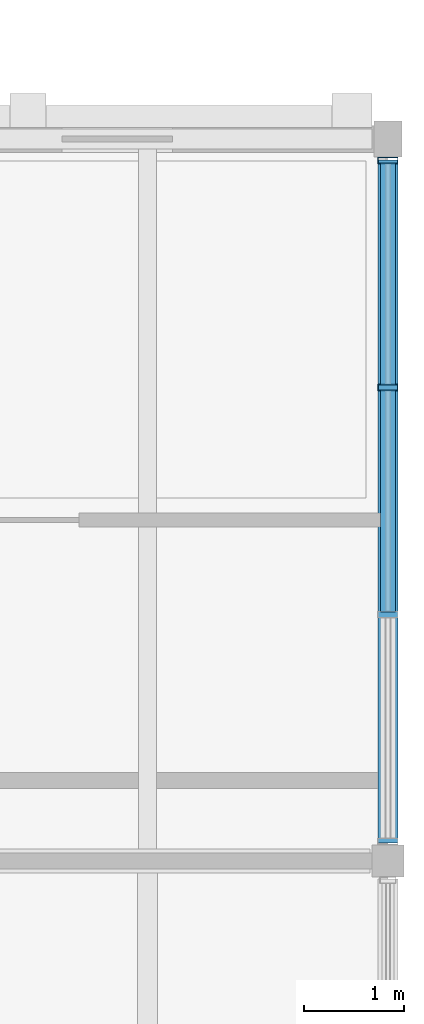
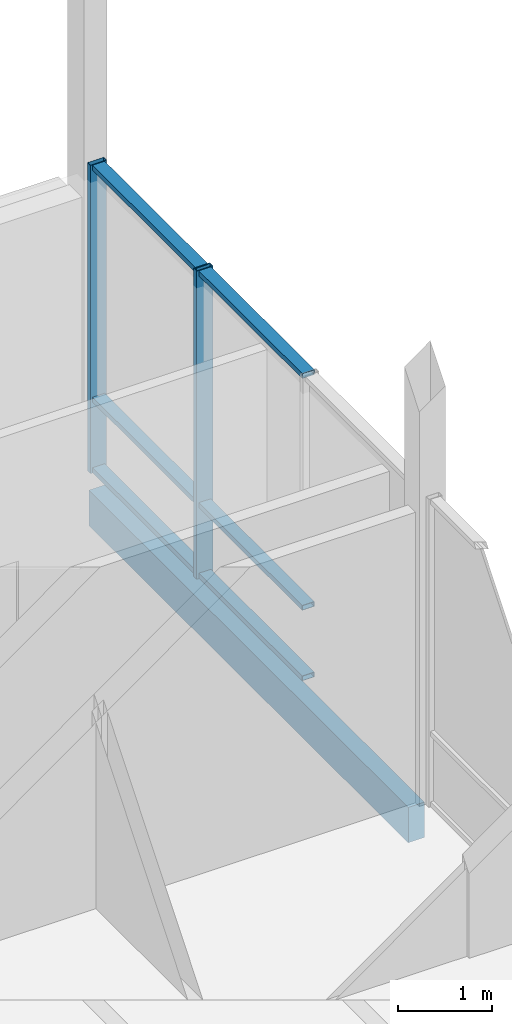
# One storey, part 66 of 115: 8 members, 1 beam, 1 element without a shape of its own.
"""IFC4 building model written with IfcOpenShell, lengths in metres."""

from ifc_helpers import new_model, si_unit, direction, frame, origin, origin_2d, place, context, subcontext, project, spatial, rectangle, hollow_rectangle, extrude, material, material_profile, profile_set, type_object, element, aggregate, save


model = new_model("IFC4")

# Units and contexts
model_context = context("Model", 3, precision=1e-05, world=origin(), true_north=direction((0.0, 1.0)))
body_context = subcontext(model_context, "Body", "Model", "MODEL_VIEW")
ifc_project = project(units=[si_unit("LENGTHUNIT", "METRE"), si_unit("AREAUNIT", "SQUARE_METRE"), si_unit("VOLUMEUNIT", "CUBIC_METRE"), si_unit("PLANEANGLEUNIT", "RADIAN"), si_unit("MASSUNIT", "GRAM", prefix="KILO")], contexts=[model_context])

# Site, building, storey
site_placement = place(None, origin())
site = spatial("IfcSite", under=ifc_project, at=site_placement, CompositionType="ELEMENT")
building_placement = place(site_placement, origin())
building = spatial("IfcBuilding", under=site, at=building_placement, Name="Hawrajan Terrace Health Centre", CompositionType="ELEMENT")
storey_placement = place(building_placement, frame((0.0, 0.0, 9.0)))
storey = spatial("IfcBuildingStorey", under=building, at=storey_placement, Name="L02", CompositionType="ELEMENT", Elevation=9.0)

# Curtain wall, members
ifc_material_1 = material(Name="Anodized bronze aluminium and low-E solar glazing", Category="aluminium")
curtain_wall_type = type_object("IfcCurtainWallType", Name="CW_Pavilion_SeriesE2", PredefinedType="USERDEFINED", material=ifc_material_1)
curtain_wall_placement = place(storey_placement, origin())
curtain_wall = element("IfcCurtainWall", 1, at=curtain_wall_placement, inside=storey, type_object=curtain_wall_type, Name="Curtain wall CW-L02-157", ObjectType="UNITISED CURTAIN WALL", PredefinedType="USERDEFINED")
ifc_material_2 = material(Name="Anodized bronze aluminium 6063-T6", Category="aluminium")
ifc_material_profile_1 = material_profile(ifc_material_2, hollow_rectangle(XDim=0.06494140625, YDim=0.199951171875, WallThickness=0.00439453125, at=origin_2d()), Name="CW MUL 65x200")
ifc_profile_set_1 = profile_set([ifc_material_profile_1], Name="Anodized bronze aluminium 6063-T6")
member_type_1 = type_object("IfcMemberType", Name="CWMullion_65x200", PredefinedType="MULLION", material=ifc_profile_set_1)
member_1_placement = place(storey_placement, frame((165.39990234375, 50.12255859375, -0.0048828125), z_axis=(0.0, 0.0, 1.0), x_axis=(0.0, 1.0, 0.0)))
member_1 = element("IfcMember", 2, at=member_1_placement, type_object=member_type_1, Name="Mullion CW-L02-157-M3", PredefinedType="MULLION", context=body_context, shape_type="SweptSolid", body=[
    extrude(hollow_rectangle(XDim=0.06494140625, YDim=0.199951171875, WallThickness=0.00439453125, at=origin_2d()), origin(), (0.0, 0.0, 1.0), 4.009765625),
])
member_2_placement = place(storey_placement, frame((165.39990234375, 52.387451171875, -0.0048828125), z_axis=(0.0, 0.0, 1.0), x_axis=(0.0, 1.0, 0.0)))
member_2 = element("IfcMember", 3, at=member_2_placement, type_object=member_type_1, Name="Mullion CW-L02-157-M4", PredefinedType="MULLION", context=body_context, shape_type="SweptSolid", body=[
    extrude(hollow_rectangle(XDim=0.06494140625, YDim=0.199951171875, WallThickness=0.00439453125, at=origin_2d()), origin(), (0.0, 0.0, 1.0), 4.009765625),
])
ifc_material_profile_2 = material_profile(ifc_material_2, hollow_rectangle(XDim=0.06494140625, YDim=0.14990234375, WallThickness=0.00390625, at=origin_2d()), Name="CW TRN 65x150")
ifc_profile_set_2 = profile_set([ifc_material_profile_2], Name="Anodized bronze aluminium 6063-T6")
member_type_2 = type_object("IfcMemberType", Name="CWTransom_65x150", PredefinedType="USERDEFINED", material=ifc_profile_set_2)
member_3_placement = place(storey_placement, frame((165.39990234375, 47.884033203125, 0.032470703125), z_axis=(0.0, 1.0, 0.0), x_axis=(0.0, 0.0, 1.0)))
member_3 = element("IfcMember", 4, at=member_3_placement, type_object=member_type_2, Name="Transom CW-L02-157-T2-1", ObjectType="TRANSOM", PredefinedType="USERDEFINED", context=body_context, shape_type="SweptSolid", body=[
    extrude(hollow_rectangle(XDim=0.06494140625, YDim=0.14990234375, WallThickness=0.00390625, at=origin_2d()), origin(), (0.0, 0.0, 1.0), 2.2119140625),
])
member_4_placement = place(storey_placement, frame((165.39990234375, 47.884033203125, 0.949951171875), z_axis=(0.0, 1.0, 0.0), x_axis=(0.0, 0.0, 1.0)))
member_4 = element("IfcMember", 5, at=member_4_placement, type_object=member_type_2, Name="Transom CW-L02-157-T2-2", ObjectType="TRANSOM", PredefinedType="USERDEFINED", context=body_context, shape_type="SweptSolid", body=[
    extrude(hollow_rectangle(XDim=0.06494140625, YDim=0.14990234375, WallThickness=0.00390625, at=origin_2d()), origin(), (0.0, 0.0, 1.0), 2.2119140625),
])
member_5_placement = place(storey_placement, frame((165.39990234375, 47.884033203125, 3.967529296875), z_axis=(0.0, 1.0, 0.0), x_axis=(0.0, 0.0, 1.0)))
member_5 = element("IfcMember", 6, at=member_5_placement, type_object=member_type_2, Name="Transom CW-L02-157-T2-3", ObjectType="TRANSOM", PredefinedType="USERDEFINED", context=body_context, shape_type="SweptSolid", body=[
    extrude(hollow_rectangle(XDim=0.06494140625, YDim=0.14990234375, WallThickness=0.00390625, at=origin_2d()), origin(), (0.0, 0.0, 1.0), 2.2119140625),
])
member_6_placement = place(storey_placement, frame((165.39990234375, 50.14892578125, 0.032470703125), z_axis=(0.0, 1.0, 0.0), x_axis=(0.0, 0.0, 1.0)))
member_6 = element("IfcMember", 7, at=member_6_placement, type_object=member_type_2, Name="Transom CW-L02-157-T3-1", ObjectType="TRANSOM", PredefinedType="USERDEFINED", context=body_context, shape_type="SweptSolid", body=[
    extrude(hollow_rectangle(XDim=0.06494140625, YDim=0.14990234375, WallThickness=0.00390625, at=origin_2d()), origin(), (0.0, 0.0, 1.0), 2.212158203125),
])
member_7_placement = place(storey_placement, frame((165.39990234375, 50.14892578125, 0.949951171875), z_axis=(0.0, 1.0, 0.0), x_axis=(0.0, 0.0, 1.0)))
member_7 = element("IfcMember", 8, at=member_7_placement, type_object=member_type_2, Name="Transom CW-L02-157-T3-2", ObjectType="TRANSOM", PredefinedType="USERDEFINED", context=body_context, shape_type="SweptSolid", body=[
    extrude(hollow_rectangle(XDim=0.06494140625, YDim=0.14990234375, WallThickness=0.00390625, at=origin_2d()), origin(), (0.0, 0.0, 1.0), 2.212158203125),
])
member_8_placement = place(storey_placement, frame((165.39990234375, 50.14892578125, 3.967529296875), z_axis=(0.0, 1.0, 0.0), x_axis=(0.0, 0.0, 1.0)))
member_8 = element("IfcMember", 9, at=member_8_placement, type_object=member_type_2, Name="Transom CW-L02-157-T3-3", ObjectType="TRANSOM", PredefinedType="USERDEFINED", context=body_context, shape_type="SweptSolid", body=[
    extrude(hollow_rectangle(XDim=0.06494140625, YDim=0.14990234375, WallThickness=0.00390625, at=origin_2d()), origin(), (0.0, 0.0, 1.0), 2.212158203125),
])
aggregate(curtain_wall, [member_1, member_2, member_3, member_4, member_5, member_6, member_7, member_8])

# Beam
ifc_material_3 = material(Name="Glulam GL32h", Category="wood")
ifc_material_profile_3 = material_profile(ifc_material_3, rectangle(XDim=0.199951171875, YDim=0.4599609375, at=origin_2d()), Name="GL SP 200x460")
ifc_profile_set_3 = profile_set([ifc_material_profile_3], Name="Glulam GL32h")
beam_type = type_object("IfcBeamType", Name="GlulamSpandrel_200x460", PredefinedType="SPANDREL", material=ifc_profile_set_3)
beam_placement = place(storey_placement, frame((165.39990234375, 45.580078125, -0.469970703125), z_axis=(0.0, 1.0, 0.0), x_axis=(-1.0, 0.0, 0.0)))
element("IfcBeam", 10, at=beam_placement, inside=storey, type_object=beam_type, Name="Beam BM-Y-L02-E-X22-6", PredefinedType="SPANDREL", context=body_context, shape_type="SweptSolid", body=[
    extrude(rectangle(XDim=0.199951171875, YDim=0.4599609375, at=origin_2d()), origin(), (0.0, 0.0, 1.0), 6.809814453125),
])

save(model, "model.ifc")
